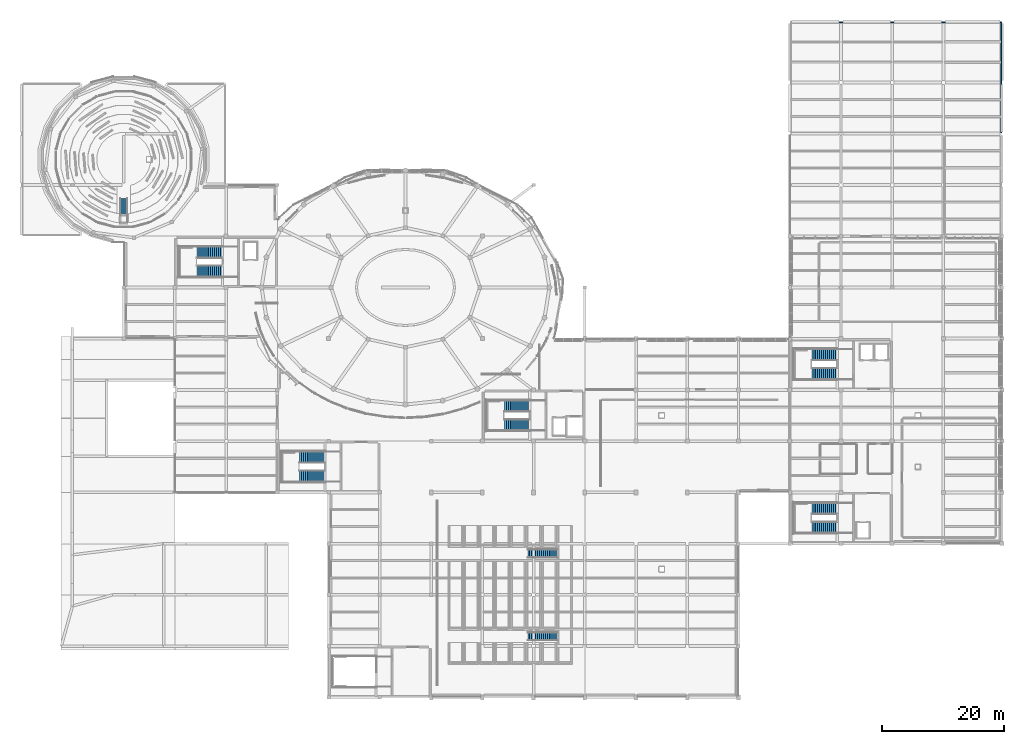
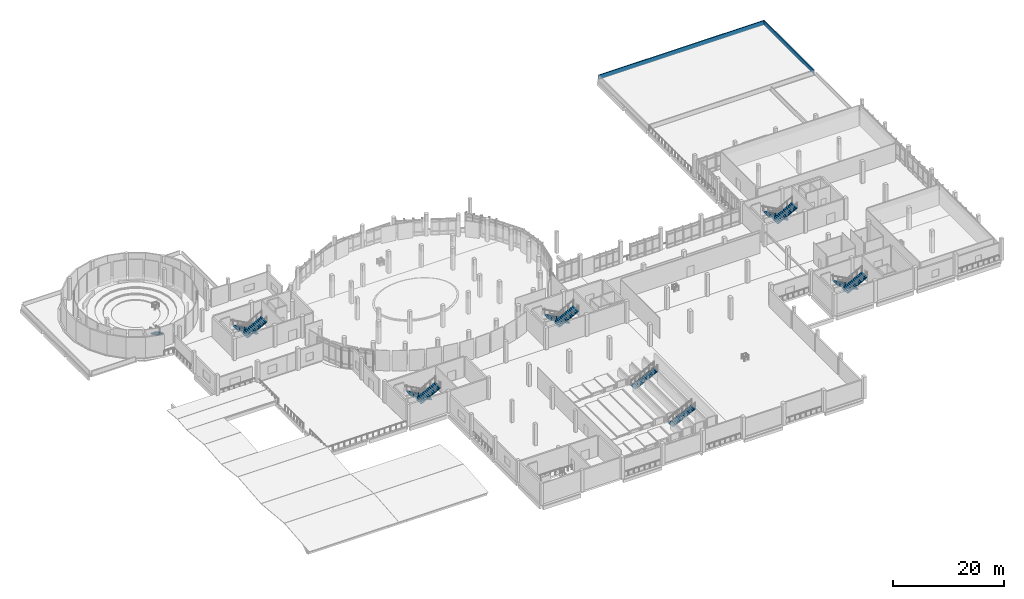
# One storey, part 48 of 63: 13 stair flights, 2 walls, 8 elements without a shape of their own.
"""IFC4 building model written with IfcOpenShell, lengths in metres."""

from ifc_helpers import new_model, si_unit, derived_unit, direction, frame, frame_2d, origin, place, context, subcontext, project, spatial, polyline, rectangle, outline, extrude, material, layer, layer_set, type_object, element, aggregate, save


model = new_model("IFC4")

# Units and contexts
model_context = context("Model", 3, precision=1e-05, world=origin(), true_north=direction((0.0, 1.0)))
body_context = subcontext(model_context, "Body", "Model", "MODEL_VIEW")
ifc_project = project(units=[si_unit("LENGTHUNIT", "METRE"), si_unit("AREAUNIT", "SQUARE_METRE"), si_unit("VOLUMEUNIT", "CUBIC_METRE"), si_unit("PLANEANGLEUNIT", "RADIAN"), si_unit("MASSUNIT", "GRAM", prefix="KILO"), derived_unit("THERMALTRANSMITTANCEUNIT", [(si_unit("POWERUNIT", "WATT"), 1), (si_unit("LENGTHUNIT", "METRE"), -2), (si_unit("THERMODYNAMICTEMPERATUREUNIT", "KELVIN"), -1)])], contexts=[model_context])

# Site, building, storey
site_placement = place(None, origin())
site = spatial("IfcSite", under=ifc_project, at=site_placement, CompositionType="ELEMENT")
building_placement = place(site_placement, origin())
building = spatial("IfcBuilding", under=site, at=building_placement, Name="Elbkamm Science Centre", CompositionType="ELEMENT")
storey_placement = place(building_placement, frame((0.0, 0.0, 5.10009765625)))
storey = spatial("IfcBuildingStorey", under=building, at=storey_placement, Name="L01", CompositionType="ELEMENT", Elevation=5.10009765625)

# Walls
ifc_material_1 = material(Name="White precast concrete C40/50", Category="concrete")
ifc_layer_1 = layer(ifc_material_1, 0.18994140625)
ifc_layer_set_1 = layer_set([ifc_layer_1], Name="White precast concrete C40/50")
wall_type_1 = type_object("IfcWallType", Name="WL-PAR-190", PredefinedType="PARAPET", material=ifc_layer_set_1)
wall_1_placement = place(storey_placement, frame((126.1650390625, 110.659912109375, 0.0), z_axis=(0.0, 0.0, 1.0), x_axis=(1.0, 0.0, 0.0)))
element("IfcWall", 1, at=wall_1_placement, inside=storey, type_object=wall_type_1, Name="L01 Roof Parapet Wall 023", PredefinedType="PARAPET", context=body_context, shape_type="SweptSolid", body=[
    extrude(rectangle(XDim=34.494873046875, YDim=0.18994140625, at=frame_2d((17.24755859375, 0.0))), origin(), (0.0, 0.0, 1.0), 0.949951171875),
])
ifc_layer_2 = layer(ifc_material_1, 0.2099609375)
ifc_layer_set_2 = layer_set([ifc_layer_2], Name="White precast concrete C40/50")
wall_type_2 = type_object("IfcWallType", Name="WL-PAR-210", PredefinedType="PARAPET", material=ifc_layer_set_2)
wall_2_placement = place(storey_placement, frame((160.659912109375, 110.659912109375, 0.0), z_axis=(0.0, 0.0, 1.0), x_axis=(0.0, -1.0, 0.0)))
element("IfcWall", 2, at=wall_2_placement, inside=storey, type_object=wall_type_2, Name="L01 Roof Parapet Wall 020", PredefinedType="PARAPET", context=body_context, shape_type="SweptSolid", body=[
    extrude(rectangle(XDim=18.10986328125, YDim=0.2099609375, at=frame_2d((9.054931640625, 0.0))), origin(), (0.0, 0.0, 1.0), 0.949951171875),
])

# Stair, stair flights
ifc_material_2 = material(Name="Reinforced concrete C40/50", Category="concrete")
stair_type_1 = type_object("IfcStairType", Name="ST-TWO-28R-192", PredefinedType="USERDEFINED", material=ifc_material_2)
stair_1_placement = place(storey_placement, origin())
stair_1 = element("IfcStair", 3, at=stair_1_placement, inside=storey, type_object=stair_type_1, Name="L01 Core C1 Northwest Planetarium and Exhibition Core Escape Stair", ObjectType="TWO_RETURN_STAIR", PredefinedType="USERDEFINED")
stair_flight_type_1 = type_object("IfcStairFlightType", Name="FLT-14R-171MM-192", PredefinedType="STRAIGHT", material=ifc_material_2)
stair_flight_1_placement = place(storey_placement, frame((32.97998046875, 72.9599609375, 0.0), z_axis=(0.0, 0.0, 1.0), x_axis=(-1.0, 0.0, 0.0)))
stair_flight_1 = element("IfcStairFlight", 4, at=stair_flight_1_placement, type_object=stair_flight_type_1, Name="ST-C1 flight 1", NumberOfRisers=14, NumberOfTreads=13, PredefinedType="STRAIGHT", RiserHeight=0.171428571, TreadLength=0.32, context=body_context, shape_type="SweptSolid", body=[
    extrude(outline(polyline([(0.0, 0.0), (0.0, 0.17138671875), (0.320068359375, 0.17138671875), (0.320068359375, 0.3427734375), (0.639892578125, 0.3427734375), (0.639892578125, 0.514404296875), (0.9599609375, 0.514404296875), (0.9599609375, 0.685791015625), (1.280029296875, 0.685791015625), (1.280029296875, 0.857177734375), (1.60009765625, 0.857177734375), (1.60009765625, 1.028564453125), (1.919921875, 1.028564453125), (1.919921875, 1.199951171875), (2.239990234375, 1.199951171875), (2.239990234375, 1.371337890625), (2.56005859375, 1.371337890625), (2.56005859375, 1.54296875), (2.8798828125, 1.54296875), (2.8798828125, 1.71435546875), (3.199951171875, 1.71435546875), (3.199951171875, 1.8857421875), (3.52001953125, 1.8857421875), (3.52001953125, 2.05712890625), (3.840087890625, 2.05712890625), (3.840087890625, 2.228515625), (4.159912109375, 2.228515625), (4.159912109375, 2.39990234375), (4.159912109375, 2.047119140625), (0.338623046875, 0.0), (0.0, 0.0)])), frame((0.0, 0.9599609375, 0.0), z_axis=(0.0, -1.0, 0.0), x_axis=(1.0, 0.0, 0.0)), (0.0, 0.0, 1.0), 1.919921875),
])
stair_flight_2_placement = place(storey_placement, frame((28.820068359375, 69.840087890625, 2.39990234375), z_axis=(0.0, 0.0, 1.0), x_axis=(1.0, 0.0, 0.0)))
stair_flight_2 = element("IfcStairFlight", 5, at=stair_flight_2_placement, type_object=stair_flight_type_1, Name="ST-C1 flight 2", NumberOfRisers=14, NumberOfTreads=13, PredefinedType="STRAIGHT", RiserHeight=0.171428571, TreadLength=0.32, context=body_context, shape_type="SweptSolid", body=[
    extrude(outline(polyline([(0.0, 0.0), (0.0, 0.17138671875), (0.320068359375, 0.17138671875), (0.320068359375, 0.3427734375), (0.639892578125, 0.3427734375), (0.639892578125, 0.514404296875), (0.9599609375, 0.514404296875), (0.9599609375, 0.685791015625), (1.280029296875, 0.685791015625), (1.280029296875, 0.857177734375), (1.60009765625, 0.857177734375), (1.60009765625, 1.028564453125), (1.919921875, 1.028564453125), (1.919921875, 1.199951171875), (2.239990234375, 1.199951171875), (2.239990234375, 1.371337890625), (2.56005859375, 1.371337890625), (2.56005859375, 1.54296875), (2.8798828125, 1.54296875), (2.8798828125, 1.71435546875), (3.199951171875, 1.71435546875), (3.199951171875, 1.8857421875), (3.52001953125, 1.8857421875), (3.52001953125, 2.05712890625), (3.840087890625, 2.05712890625), (3.840087890625, 2.228515625), (4.159912109375, 2.228515625), (4.159912109375, 2.39990234375), (4.159912109375, 2.047119140625), (0.338623046875, 0.0), (0.0, 0.0)])), frame((0.0, 0.9599609375, 0.0), z_axis=(0.0, -1.0, 0.0), x_axis=(1.0, 0.0, 0.0)), (0.0, 0.0, 1.0), 1.919921875),
])
aggregate(stair_1, [stair_flight_1, stair_flight_2])

stair_2_placement = place(storey_placement, origin())
stair_2 = element("IfcStair", 6, at=stair_2_placement, inside=storey, type_object=stair_type_1, Name="L01 Core C2 Central Exhibition and Skybridge Core Escape Stair", ObjectType="TWO_RETURN_STAIR", PredefinedType="USERDEFINED")
stair_flight_3_placement = place(storey_placement, frame((83.3798828125, 47.760009765625, 0.0), z_axis=(0.0, 0.0, 1.0), x_axis=(-1.0, 0.0, 0.0)))
stair_flight_3 = element("IfcStairFlight", 7, at=stair_flight_3_placement, type_object=stair_flight_type_1, Name="ST-C2 flight 1", NumberOfRisers=14, NumberOfTreads=13, PredefinedType="STRAIGHT", RiserHeight=0.171428571, TreadLength=0.32, context=body_context, shape_type="SweptSolid", body=[
    extrude(outline(polyline([(0.0, 0.0), (0.0, 0.17138671875), (0.320068359375, 0.17138671875), (0.320068359375, 0.3427734375), (0.639892578125, 0.3427734375), (0.639892578125, 0.514404296875), (0.9599609375, 0.514404296875), (0.9599609375, 0.685791015625), (1.280029296875, 0.685791015625), (1.280029296875, 0.857177734375), (1.60009765625, 0.857177734375), (1.60009765625, 1.028564453125), (1.919921875, 1.028564453125), (1.919921875, 1.199951171875), (2.239990234375, 1.199951171875), (2.239990234375, 1.371337890625), (2.56005859375, 1.371337890625), (2.56005859375, 1.54296875), (2.8798828125, 1.54296875), (2.8798828125, 1.71435546875), (3.199951171875, 1.71435546875), (3.199951171875, 1.8857421875), (3.52001953125, 1.8857421875), (3.52001953125, 2.05712890625), (3.840087890625, 2.05712890625), (3.840087890625, 2.228515625), (4.159912109375, 2.228515625), (4.159912109375, 2.39990234375), (4.159912109375, 2.047119140625), (0.338623046875, 0.0), (0.0, 0.0)])), frame((0.0, 0.9599609375, 0.0), z_axis=(0.0, -1.0, 0.0), x_axis=(1.0, 0.0, 0.0)), (0.0, 0.0, 1.0), 1.919921875),
])
stair_flight_4_placement = place(storey_placement, frame((79.219970703125, 44.639892578125, 2.39990234375), z_axis=(0.0, 0.0, 1.0), x_axis=(1.0, 0.0, 0.0)))
stair_flight_4 = element("IfcStairFlight", 8, at=stair_flight_4_placement, type_object=stair_flight_type_1, Name="ST-C2 flight 2", NumberOfRisers=14, NumberOfTreads=13, PredefinedType="STRAIGHT", RiserHeight=0.171428571, TreadLength=0.32, context=body_context, shape_type="SweptSolid", body=[
    extrude(outline(polyline([(0.0, 0.0), (0.0, 0.17138671875), (0.320068359375, 0.17138671875), (0.320068359375, 0.3427734375), (0.639892578125, 0.3427734375), (0.639892578125, 0.514404296875), (0.9599609375, 0.514404296875), (0.9599609375, 0.685791015625), (1.280029296875, 0.685791015625), (1.280029296875, 0.857177734375), (1.60009765625, 0.857177734375), (1.60009765625, 1.028564453125), (1.919921875, 1.028564453125), (1.919921875, 1.199951171875), (2.239990234375, 1.199951171875), (2.239990234375, 1.371337890625), (2.56005859375, 1.371337890625), (2.56005859375, 1.54296875), (2.8798828125, 1.54296875), (2.8798828125, 1.71435546875), (3.199951171875, 1.71435546875), (3.199951171875, 1.8857421875), (3.52001953125, 1.8857421875), (3.52001953125, 2.05712890625), (3.840087890625, 2.05712890625), (3.840087890625, 2.228515625), (4.159912109375, 2.228515625), (4.159912109375, 2.39990234375), (4.159912109375, 2.047119140625), (0.338623046875, 0.0), (0.0, 0.0)])), frame((0.0, 0.9599609375, 0.0), z_axis=(0.0, -1.0, 0.0), x_axis=(1.0, 0.0, 0.0)), (0.0, 0.0, 1.0), 1.919921875),
])
aggregate(stair_2, [stair_flight_3, stair_flight_4])

stair_3_placement = place(storey_placement, origin())
stair_3 = element("IfcStair", 9, at=stair_3_placement, inside=storey, type_object=stair_type_1, Name="L01 Core C3 Northeast Laboratories and Observatory Core Escape Stair", ObjectType="TWO_RETURN_STAIR", PredefinedType="USERDEFINED")
stair_flight_5_placement = place(storey_placement, frame((133.780029296875, 56.159912109375, 0.0), z_axis=(0.0, 0.0, 1.0), x_axis=(-1.0, 0.0, 0.0)))
stair_flight_5 = element("IfcStairFlight", 10, at=stair_flight_5_placement, type_object=stair_flight_type_1, Name="ST-C3 flight 1", NumberOfRisers=14, NumberOfTreads=13, PredefinedType="STRAIGHT", RiserHeight=0.171428571, TreadLength=0.32, context=body_context, shape_type="SweptSolid", body=[
    extrude(outline(polyline([(0.0, 0.0), (0.0, 0.17138671875), (0.320068359375, 0.17138671875), (0.320068359375, 0.3427734375), (0.639892578125, 0.3427734375), (0.639892578125, 0.514404296875), (0.9599609375, 0.514404296875), (0.9599609375, 0.685791015625), (1.280029296875, 0.685791015625), (1.280029296875, 0.857177734375), (1.60009765625, 0.857177734375), (1.60009765625, 1.028564453125), (1.919921875, 1.028564453125), (1.919921875, 1.199951171875), (2.239990234375, 1.199951171875), (2.239990234375, 1.371337890625), (2.56005859375, 1.371337890625), (2.56005859375, 1.54296875), (2.8798828125, 1.54296875), (2.8798828125, 1.71435546875), (3.199951171875, 1.71435546875), (3.199951171875, 1.8857421875), (3.52001953125, 1.8857421875), (3.52001953125, 2.05712890625), (3.840087890625, 2.05712890625), (3.840087890625, 2.228515625), (4.159912109375, 2.228515625), (4.159912109375, 2.39990234375), (4.159912109375, 2.047119140625), (0.338623046875, 0.0), (0.0, 0.0)])), frame((0.0, 0.9599609375, 0.0), z_axis=(0.0, -1.0, 0.0), x_axis=(1.0, 0.0, 0.0)), (0.0, 0.0, 1.0), 1.919921875),
])
stair_flight_6_placement = place(storey_placement, frame((129.6201171875, 53.0400390625, 2.39990234375), z_axis=(0.0, 0.0, 1.0), x_axis=(1.0, 0.0, 0.0)))
stair_flight_6 = element("IfcStairFlight", 11, at=stair_flight_6_placement, type_object=stair_flight_type_1, Name="ST-C3 flight 2", NumberOfRisers=14, NumberOfTreads=13, PredefinedType="STRAIGHT", RiserHeight=0.171428571, TreadLength=0.32, context=body_context, shape_type="SweptSolid", body=[
    extrude(outline(polyline([(0.0, 0.0), (0.0, 0.17138671875), (0.320068359375, 0.17138671875), (0.320068359375, 0.3427734375), (0.639892578125, 0.3427734375), (0.639892578125, 0.514404296875), (0.9599609375, 0.514404296875), (0.9599609375, 0.685791015625), (1.280029296875, 0.685791015625), (1.280029296875, 0.857177734375), (1.60009765625, 0.857177734375), (1.60009765625, 1.028564453125), (1.919921875, 1.028564453125), (1.919921875, 1.199951171875), (2.239990234375, 1.199951171875), (2.239990234375, 1.371337890625), (2.56005859375, 1.371337890625), (2.56005859375, 1.54296875), (2.8798828125, 1.54296875), (2.8798828125, 1.71435546875), (3.199951171875, 1.71435546875), (3.199951171875, 1.8857421875), (3.52001953125, 1.8857421875), (3.52001953125, 2.05712890625), (3.840087890625, 2.05712890625), (3.840087890625, 2.228515625), (4.159912109375, 2.228515625), (4.159912109375, 2.39990234375), (4.159912109375, 2.047119140625), (0.338623046875, 0.0), (0.0, 0.0)])), frame((0.0, 0.9599609375, 0.0), z_axis=(0.0, -1.0, 0.0), x_axis=(1.0, 0.0, 0.0)), (0.0, 0.0, 1.0), 1.919921875),
])
aggregate(stair_3, [stair_flight_5, stair_flight_6])

stair_4_placement = place(storey_placement, origin())
stair_4 = element("IfcStair", 12, at=stair_4_placement, inside=storey, type_object=stair_type_1, Name="L01 Core C4 Southeast Workshops and Library Core Escape Stair", ObjectType="TWO_RETURN_STAIR", PredefinedType="USERDEFINED")
stair_flight_7_placement = place(storey_placement, frame((133.780029296875, 30.9599609375, 0.0), z_axis=(0.0, 0.0, 1.0), x_axis=(-1.0, 0.0, 0.0)))
stair_flight_7 = element("IfcStairFlight", 13, at=stair_flight_7_placement, type_object=stair_flight_type_1, Name="ST-C4 flight 1", NumberOfRisers=14, NumberOfTreads=13, PredefinedType="STRAIGHT", RiserHeight=0.171428571, TreadLength=0.32, context=body_context, shape_type="SweptSolid", body=[
    extrude(outline(polyline([(0.0, 0.0), (0.0, 0.17138671875), (0.320068359375, 0.17138671875), (0.320068359375, 0.3427734375), (0.639892578125, 0.3427734375), (0.639892578125, 0.514404296875), (0.9599609375, 0.514404296875), (0.9599609375, 0.685791015625), (1.280029296875, 0.685791015625), (1.280029296875, 0.857177734375), (1.60009765625, 0.857177734375), (1.60009765625, 1.028564453125), (1.919921875, 1.028564453125), (1.919921875, 1.199951171875), (2.239990234375, 1.199951171875), (2.239990234375, 1.371337890625), (2.56005859375, 1.371337890625), (2.56005859375, 1.54296875), (2.8798828125, 1.54296875), (2.8798828125, 1.71435546875), (3.199951171875, 1.71435546875), (3.199951171875, 1.8857421875), (3.52001953125, 1.8857421875), (3.52001953125, 2.05712890625), (3.840087890625, 2.05712890625), (3.840087890625, 2.228515625), (4.159912109375, 2.228515625), (4.159912109375, 2.39990234375), (4.159912109375, 2.047119140625), (0.338623046875, 0.0), (0.0, 0.0)])), frame((0.0, 0.9599609375, 0.0), z_axis=(0.0, -1.0, 0.0), x_axis=(1.0, 0.0, 0.0)), (0.0, 0.0, 1.0), 1.919921875),
])
stair_flight_8_placement = place(storey_placement, frame((129.6201171875, 27.840087890625, 2.39990234375), z_axis=(0.0, 0.0, 1.0), x_axis=(1.0, 0.0, 0.0)))
stair_flight_8 = element("IfcStairFlight", 14, at=stair_flight_8_placement, type_object=stair_flight_type_1, Name="ST-C4 flight 2", NumberOfRisers=14, NumberOfTreads=13, PredefinedType="STRAIGHT", RiserHeight=0.171428571, TreadLength=0.32, context=body_context, shape_type="SweptSolid", body=[
    extrude(outline(polyline([(0.0, 0.0), (0.0, 0.17138671875), (0.320068359375, 0.17138671875), (0.320068359375, 0.3427734375), (0.639892578125, 0.3427734375), (0.639892578125, 0.514404296875), (0.9599609375, 0.514404296875), (0.9599609375, 0.685791015625), (1.280029296875, 0.685791015625), (1.280029296875, 0.857177734375), (1.60009765625, 0.857177734375), (1.60009765625, 1.028564453125), (1.919921875, 1.028564453125), (1.919921875, 1.199951171875), (2.239990234375, 1.199951171875), (2.239990234375, 1.371337890625), (2.56005859375, 1.371337890625), (2.56005859375, 1.54296875), (2.8798828125, 1.54296875), (2.8798828125, 1.71435546875), (3.199951171875, 1.71435546875), (3.199951171875, 1.8857421875), (3.52001953125, 1.8857421875), (3.52001953125, 2.05712890625), (3.840087890625, 2.05712890625), (3.840087890625, 2.228515625), (4.159912109375, 2.228515625), (4.159912109375, 2.39990234375), (4.159912109375, 2.047119140625), (0.338623046875, 0.0), (0.0, 0.0)])), frame((0.0, 0.9599609375, 0.0), z_axis=(0.0, -1.0, 0.0), x_axis=(1.0, 0.0, 0.0)), (0.0, 0.0, 1.0), 1.919921875),
])
aggregate(stair_4, [stair_flight_7, stair_flight_8])

stair_5_placement = place(storey_placement, origin())
stair_5 = element("IfcStair", 15, at=stair_5_placement, inside=storey, type_object=stair_type_1, Name="L01 Core C5 Southwest Plinth Assembly Egress Core Escape Stair", ObjectType="TWO_RETURN_STAIR", PredefinedType="USERDEFINED")
stair_flight_9_placement = place(storey_placement, frame((49.780029296875, 39.360107421875, 0.0), z_axis=(0.0, 0.0, 1.0), x_axis=(-1.0, 0.0, 0.0)))
stair_flight_9 = element("IfcStairFlight", 16, at=stair_flight_9_placement, type_object=stair_flight_type_1, Name="ST-C5 flight 1", NumberOfRisers=14, NumberOfTreads=13, PredefinedType="STRAIGHT", RiserHeight=0.171428571, TreadLength=0.32, context=body_context, shape_type="SweptSolid", body=[
    extrude(outline(polyline([(0.0, 0.0), (0.0, 0.17138671875), (0.320068359375, 0.17138671875), (0.320068359375, 0.3427734375), (0.639892578125, 0.3427734375), (0.639892578125, 0.514404296875), (0.9599609375, 0.514404296875), (0.9599609375, 0.685791015625), (1.280029296875, 0.685791015625), (1.280029296875, 0.857177734375), (1.60009765625, 0.857177734375), (1.60009765625, 1.028564453125), (1.919921875, 1.028564453125), (1.919921875, 1.199951171875), (2.239990234375, 1.199951171875), (2.239990234375, 1.371337890625), (2.56005859375, 1.371337890625), (2.56005859375, 1.54296875), (2.8798828125, 1.54296875), (2.8798828125, 1.71435546875), (3.199951171875, 1.71435546875), (3.199951171875, 1.8857421875), (3.52001953125, 1.8857421875), (3.52001953125, 2.05712890625), (3.840087890625, 2.05712890625), (3.840087890625, 2.228515625), (4.159912109375, 2.228515625), (4.159912109375, 2.39990234375), (4.159912109375, 2.047119140625), (0.338623046875, 0.0), (0.0, 0.0)])), frame((0.0, 0.9599609375, 0.0), z_axis=(0.0, -1.0, 0.0), x_axis=(1.0, 0.0, 0.0)), (0.0, 0.0, 1.0), 1.919921875),
])
stair_flight_10_placement = place(storey_placement, frame((45.6201171875, 36.239990234375, 2.39990234375), z_axis=(0.0, 0.0, 1.0), x_axis=(1.0, 0.0, 0.0)))
stair_flight_10 = element("IfcStairFlight", 17, at=stair_flight_10_placement, type_object=stair_flight_type_1, Name="ST-C5 flight 2", NumberOfRisers=14, NumberOfTreads=13, PredefinedType="STRAIGHT", RiserHeight=0.171428571, TreadLength=0.32, context=body_context, shape_type="SweptSolid", body=[
    extrude(outline(polyline([(0.0, 0.0), (0.0, 0.17138671875), (0.320068359375, 0.17138671875), (0.320068359375, 0.3427734375), (0.639892578125, 0.3427734375), (0.639892578125, 0.514404296875), (0.9599609375, 0.514404296875), (0.9599609375, 0.685791015625), (1.280029296875, 0.685791015625), (1.280029296875, 0.857177734375), (1.60009765625, 0.857177734375), (1.60009765625, 1.028564453125), (1.919921875, 1.028564453125), (1.919921875, 1.199951171875), (2.239990234375, 1.199951171875), (2.239990234375, 1.371337890625), (2.56005859375, 1.371337890625), (2.56005859375, 1.54296875), (2.8798828125, 1.54296875), (2.8798828125, 1.71435546875), (3.199951171875, 1.71435546875), (3.199951171875, 1.8857421875), (3.52001953125, 1.8857421875), (3.52001953125, 2.05712890625), (3.840087890625, 2.05712890625), (3.840087890625, 2.228515625), (4.159912109375, 2.228515625), (4.159912109375, 2.39990234375), (4.159912109375, 2.047119140625), (0.338623046875, 0.0), (0.0, 0.0)])), frame((0.0, 0.9599609375, 0.0), z_axis=(0.0, -1.0, 0.0), x_axis=(1.0, 0.0, 0.0)), (0.0, 0.0, 1.0), 1.919921875),
])
aggregate(stair_5, [stair_flight_9, stair_flight_10])

# Stair, stair flight
stair_type_2 = type_object("IfcStairType", Name="ST-STR-16R-140", PredefinedType="STRAIGHT_RUN_STAIR", material=ifc_material_2)
stair_6_placement = place(storey_placement, origin())
stair_6 = element("IfcStair", 18, at=stair_6_placement, inside=storey, type_object=stair_type_2, Name="Science Theatre Raked Tier Aisle Stair 1", PredefinedType="STRAIGHT_RUN_STAIR")
stair_flight_type_2 = type_object("IfcStairFlightType", Name="FLT-16R-160MM-140", PredefinedType="STRAIGHT", material=ifc_material_2)
stair_flight_11_placement = place(storey_placement, frame((83.050048828125, 10.0, 0.0), z_axis=(0.0, 0.0, 1.0), x_axis=(1.0, 0.0, 0.0)))
stair_flight_11 = element("IfcStairFlight", 19, at=stair_flight_11_placement, type_object=stair_flight_type_2, Name="ST-TA1 flight 1", NumberOfRisers=16, NumberOfTreads=15, PredefinedType="STRAIGHT", RiserHeight=0.16, TreadLength=0.32, context=body_context, shape_type="SweptSolid", body=[
    extrude(outline(polyline([(0.0, 0.0), (0.0, 0.159912109375), (0.320068359375, 0.159912109375), (0.320068359375, 0.320068359375), (0.639892578125, 0.320068359375), (0.639892578125, 0.47998046875), (0.9599609375, 0.47998046875), (0.9599609375, 0.639892578125), (1.280029296875, 0.639892578125), (1.280029296875, 0.800048828125), (1.60009765625, 0.800048828125), (1.60009765625, 0.9599609375), (1.919921875, 0.9599609375), (1.919921875, 1.1201171875), (2.239990234375, 1.1201171875), (2.239990234375, 1.280029296875), (2.56005859375, 1.280029296875), (2.56005859375, 1.43994140625), (2.8798828125, 1.43994140625), (2.8798828125, 1.60009765625), (3.199951171875, 1.60009765625), (3.199951171875, 1.760009765625), (3.52001953125, 1.760009765625), (3.52001953125, 1.919921875), (3.840087890625, 1.919921875), (3.840087890625, 2.080078125), (4.159912109375, 2.080078125), (4.159912109375, 2.239990234375), (4.47998046875, 2.239990234375), (4.47998046875, 2.39990234375), (4.800048828125, 2.39990234375), (4.800048828125, 2.56005859375), (4.800048828125, 2.22119140625), (0.357666015625, 0.0), (0.0, 0.0)])), frame((0.0, 0.699951171875, 0.0), z_axis=(0.0, -1.0, 0.0), x_axis=(1.0, 0.0, 0.0)), (0.0, 0.0, 1.0), 1.39990234375),
])
aggregate(stair_6, [stair_flight_11])

stair_7_placement = place(storey_placement, origin())
stair_7 = element("IfcStair", 20, at=stair_7_placement, inside=storey, type_object=stair_type_2, Name="Science Theatre Raked Tier Aisle Stair 2", PredefinedType="STRAIGHT_RUN_STAIR")
stair_flight_12_placement = place(storey_placement, frame((83.050048828125, 23.60009765625, 0.0), z_axis=(0.0, 0.0, 1.0), x_axis=(1.0, 0.0, 0.0)))
stair_flight_12 = element("IfcStairFlight", 21, at=stair_flight_12_placement, type_object=stair_flight_type_2, Name="ST-TA2 flight 1", NumberOfRisers=16, NumberOfTreads=15, PredefinedType="STRAIGHT", RiserHeight=0.16, TreadLength=0.32, context=body_context, shape_type="SweptSolid", body=[
    extrude(outline(polyline([(0.0, 0.0), (0.0, 0.159912109375), (0.320068359375, 0.159912109375), (0.320068359375, 0.320068359375), (0.639892578125, 0.320068359375), (0.639892578125, 0.47998046875), (0.9599609375, 0.47998046875), (0.9599609375, 0.639892578125), (1.280029296875, 0.639892578125), (1.280029296875, 0.800048828125), (1.60009765625, 0.800048828125), (1.60009765625, 0.9599609375), (1.919921875, 0.9599609375), (1.919921875, 1.1201171875), (2.239990234375, 1.1201171875), (2.239990234375, 1.280029296875), (2.56005859375, 1.280029296875), (2.56005859375, 1.43994140625), (2.8798828125, 1.43994140625), (2.8798828125, 1.60009765625), (3.199951171875, 1.60009765625), (3.199951171875, 1.760009765625), (3.52001953125, 1.760009765625), (3.52001953125, 1.919921875), (3.840087890625, 1.919921875), (3.840087890625, 2.080078125), (4.159912109375, 2.080078125), (4.159912109375, 2.239990234375), (4.47998046875, 2.239990234375), (4.47998046875, 2.39990234375), (4.800048828125, 2.39990234375), (4.800048828125, 2.56005859375), (4.800048828125, 2.22119140625), (0.357666015625, 0.0), (0.0, 0.0)])), frame((0.0, 0.699951171875, 0.0), z_axis=(0.0, -1.0, 0.0), x_axis=(1.0, 0.0, 0.0)), (0.0, 0.0, 1.0), 1.39990234375),
])
aggregate(stair_7, [stair_flight_12])

stair_type_3 = type_object("IfcStairType", Name="ST-STR-9R-125", PredefinedType="STRAIGHT_RUN_STAIR", material=ifc_material_2)
stair_8_placement = place(storey_placement, origin())
stair_8 = element("IfcStair", 22, at=stair_8_placement, inside=storey, type_object=stair_type_3, Name="Planetarium Star Chamber Aisle Stair", PredefinedType="STRAIGHT_RUN_STAIR")
stair_flight_type_3 = type_object("IfcStairFlightType", Name="FLT-9R-160MM-125", PredefinedType="STRAIGHT", material=ifc_material_2)
stair_flight_13_placement = place(storey_placement, frame((16.800048828125, 81.820068359375, 0.0), z_axis=(0.0, 0.0, 1.0), x_axis=(0.0, -1.0, 0.0)))
stair_flight_13 = element("IfcStairFlight", 23, at=stair_flight_13_placement, type_object=stair_flight_type_3, Name="ST-PA1 flight 1", NumberOfRisers=9, NumberOfTreads=8, PredefinedType="STRAIGHT", RiserHeight=0.16, TreadLength=0.32, context=body_context, shape_type="SweptSolid", body=[
    extrude(outline(polyline([(0.0, 0.0), (0.0, 0.159912109375), (0.320068359375, 0.159912109375), (0.320068359375, 0.320068359375), (0.639892578125, 0.320068359375), (0.639892578125, 0.47998046875), (0.9599609375, 0.47998046875), (0.9599609375, 0.639892578125), (1.280029296875, 0.639892578125), (1.280029296875, 0.800048828125), (1.60009765625, 0.800048828125), (1.60009765625, 0.9599609375), (1.919921875, 0.9599609375), (1.919921875, 1.1201171875), (2.239990234375, 1.1201171875), (2.239990234375, 1.280029296875), (2.56005859375, 1.280029296875), (2.56005859375, 1.43994140625), (2.56005859375, 1.101318359375), (0.357666015625, 0.0), (0.0, 0.0)])), frame((0.0, 0.625, 0.0), z_axis=(0.0, -1.0, 0.0), x_axis=(1.0, 0.0, 0.0)), (0.0, 0.0, 1.0), 1.25),
])
aggregate(stair_8, [stair_flight_13])

save(model, "model.ifc")
